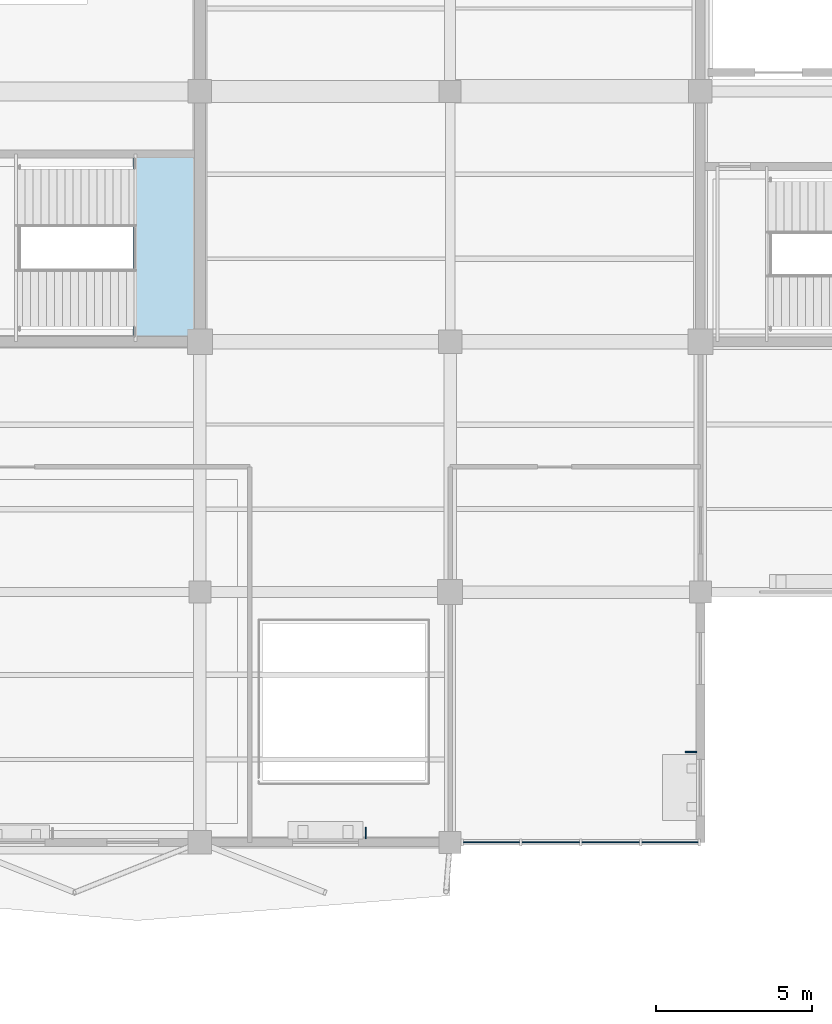
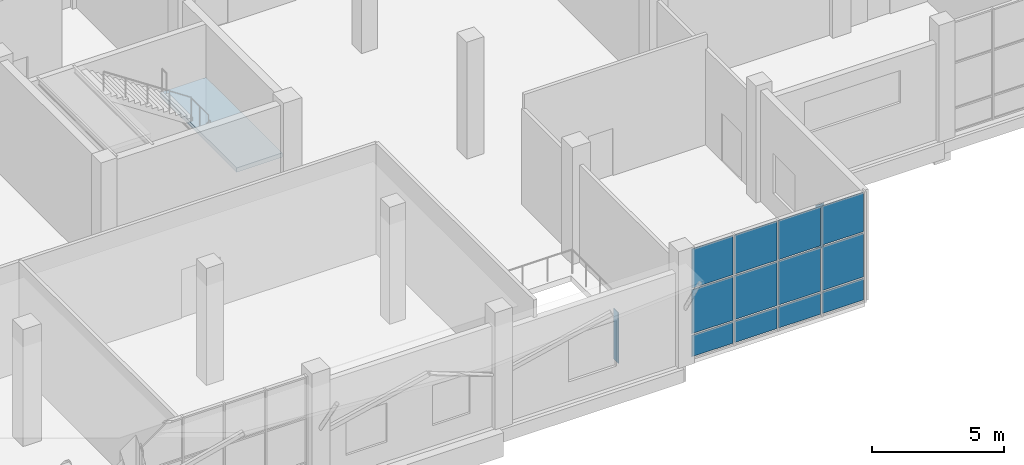
# One storey, part 80 of 122: 14 plates, 1 slab, 2 elements without a shape of their own.
"""IFC4 building model written with IfcOpenShell, lengths in metres."""

from ifc_helpers import new_model, si_unit, direction, frame, origin, origin_2d, place, context, subcontext, project, spatial, polyline, rectangle, outline, extrude, material, layer, layer_set, type_object, element, aggregate, save


model = new_model("IFC4")

# Units and contexts
model_context = context("Model", 3, precision=1e-05, world=origin(), true_north=direction((0.0, 1.0)))
body_context = subcontext(model_context, "Body", "Model", "MODEL_VIEW")
ifc_project = project(units=[si_unit("LENGTHUNIT", "METRE"), si_unit("AREAUNIT", "SQUARE_METRE"), si_unit("VOLUMEUNIT", "CUBIC_METRE"), si_unit("PLANEANGLEUNIT", "RADIAN"), si_unit("MASSUNIT", "GRAM", prefix="KILO")], contexts=[model_context])

# Site, building, storey
site_placement = place(None, origin())
site = spatial("IfcSite", under=ifc_project, at=site_placement, CompositionType="ELEMENT")
building_placement = place(site_placement, origin())
building = spatial("IfcBuilding", under=site, at=building_placement, Name="Tenunan Teduh Sports Hall", CompositionType="ELEMENT")
storey_placement = place(building_placement, frame((0.0, 0.0, 5.39990234375)))
storey = spatial("IfcBuildingStorey", under=building, at=storey_placement, Name="L01", CompositionType="ELEMENT", Elevation=5.39990234375)

# Curtain wall, plates
ifc_material_1 = material(Name="Anodised aluminium", Category="aluminium")
curtain_wall_type = type_object("IfcCurtainWallType", Name="CW-UNIT-1", PredefinedType="NOTDEFINED", material=ifc_material_1)
curtain_wall_placement = place(storey_placement, origin())
curtain_wall = element("IfcCurtainWall", 1, at=curtain_wall_placement, inside=storey, type_object=curtain_wall_type, Name="CW-CWM-220-L01-201", PredefinedType="NOTDEFINED")
ifc_material_2 = material(Name="Solar-control laminated glazing", Category="glass")
ifc_layer_1 = layer(ifc_material_2, 0.031982421875)
ifc_layer_set_1 = layer_set([ifc_layer_1], Name="Solar-control laminated glazing")
plate_type_1 = type_object("IfcPlateType", Name="CWP-GLZ-32", PredefinedType="CURTAIN_PANEL", material=ifc_layer_set_1)
plate_1_placement = place(storey_placement, frame((47.324951171875, 78.0, 1.1376953125), z_axis=(0.0, 0.0, 1.0), x_axis=(1.0, 0.0, 0.0)))
plate_1 = element("IfcPlate", 2, at=plate_1_placement, type_object=plate_type_1, Name="CW-01 panel 1.2", PredefinedType="CURTAIN_PANEL", context=body_context, shape_type="SweptSolid", body=[
    extrude(rectangle(XDim=1.800048828125, YDim=0.031982421875, at=origin_2d()), origin(), (0.0, 0.0, 1.0), 2.02490234375),
])
plate_2_placement = place(storey_placement, frame((47.324951171875, 78.0, 3.237548828125), z_axis=(0.0, 0.0, 1.0), x_axis=(1.0, 0.0, 0.0)))
plate_2 = element("IfcPlate", 3, at=plate_2_placement, type_object=plate_type_1, Name="CW-01 panel 1.3", PredefinedType="CURTAIN_PANEL", context=body_context, shape_type="SweptSolid", body=[
    extrude(rectangle(XDim=1.800048828125, YDim=0.031982421875, at=origin_2d()), origin(), (0.0, 0.0, 1.0), 1.8076171875),
])
plate_3_placement = place(storey_placement, frame((49.21875, 78.0, 1.1376953125), z_axis=(0.0, 0.0, 1.0), x_axis=(1.0, 0.0, 0.0)))
plate_3 = element("IfcPlate", 4, at=plate_3_placement, type_object=plate_type_1, Name="CW-01 panel 2.2", PredefinedType="CURTAIN_PANEL", context=body_context, shape_type="SweptSolid", body=[
    extrude(rectangle(XDim=1.83740234375, YDim=0.031982421875, at=origin_2d()), origin(), (0.0, 0.0, 1.0), 2.02490234375),
])
plate_4_placement = place(storey_placement, frame((49.21875, 78.0, 3.237548828125), z_axis=(0.0, 0.0, 1.0), x_axis=(1.0, 0.0, 0.0)))
plate_4 = element("IfcPlate", 5, at=plate_4_placement, type_object=plate_type_1, Name="CW-01 panel 2.3", PredefinedType="CURTAIN_PANEL", context=body_context, shape_type="SweptSolid", body=[
    extrude(rectangle(XDim=1.83740234375, YDim=0.031982421875, at=origin_2d()), origin(), (0.0, 0.0, 1.0), 1.8076171875),
])
plate_5_placement = place(storey_placement, frame((51.13134765625, 78.0, 1.1376953125), z_axis=(0.0, 0.0, 1.0), x_axis=(1.0, 0.0, 0.0)))
plate_5 = element("IfcPlate", 6, at=plate_5_placement, type_object=plate_type_1, Name="CW-01 panel 3.2", PredefinedType="CURTAIN_PANEL", context=body_context, shape_type="SweptSolid", body=[
    extrude(rectangle(XDim=1.83740234375, YDim=0.031982421875, at=origin_2d()), origin(), (0.0, 0.0, 1.0), 2.02490234375),
])
plate_6_placement = place(storey_placement, frame((51.13134765625, 78.0, 3.237548828125), z_axis=(0.0, 0.0, 1.0), x_axis=(1.0, 0.0, 0.0)))
plate_6 = element("IfcPlate", 7, at=plate_6_placement, type_object=plate_type_1, Name="CW-01 panel 3.3", PredefinedType="CURTAIN_PANEL", context=body_context, shape_type="SweptSolid", body=[
    extrude(rectangle(XDim=1.83740234375, YDim=0.031982421875, at=origin_2d()), origin(), (0.0, 0.0, 1.0), 1.8076171875),
])
plate_7_placement = place(storey_placement, frame((53.02490234375, 78.0, 1.1376953125), z_axis=(0.0, 0.0, 1.0), x_axis=(1.0, 0.0, 0.0)))
plate_7 = element("IfcPlate", 8, at=plate_7_placement, type_object=plate_type_1, Name="CW-01 panel 4.2", PredefinedType="CURTAIN_PANEL", context=body_context, shape_type="SweptSolid", body=[
    extrude(rectangle(XDim=1.800048828125, YDim=0.031982421875, at=origin_2d()), origin(), (0.0, 0.0, 1.0), 2.02490234375),
])
plate_8_placement = place(storey_placement, frame((53.02490234375, 78.0, 3.237548828125), z_axis=(0.0, 0.0, 1.0), x_axis=(1.0, 0.0, 0.0)))
plate_8 = element("IfcPlate", 9, at=plate_8_placement, type_object=plate_type_1, Name="CW-01 panel 4.3", PredefinedType="CURTAIN_PANEL", context=body_context, shape_type="SweptSolid", body=[
    extrude(rectangle(XDim=1.800048828125, YDim=0.031982421875, at=origin_2d()), origin(), (0.0, 0.0, 1.0), 1.8076171875),
])
ifc_material_3 = material(Name="Insulated aluminium spandrel panel", Category="aluminium")
ifc_layer_2 = layer(ifc_material_3, 0.044921875)
ifc_layer_set_2 = layer_set([ifc_layer_2], Name="Insulated aluminium spandrel panel")
plate_type_2 = type_object("IfcPlateType", Name="CWP-SPN-45", PredefinedType="CURTAIN_PANEL", material=ifc_layer_set_2)
plate_9_placement = place(storey_placement, frame((47.324951171875, 78.0, 0.0751953125), z_axis=(0.0, 0.0, 1.0), x_axis=(1.0, 0.0, 0.0)))
plate_9 = element("IfcPlate", 10, at=plate_9_placement, type_object=plate_type_2, Name="CW-01 panel 1.1", PredefinedType="CURTAIN_PANEL", context=body_context, shape_type="SweptSolid", body=[
    extrude(rectangle(XDim=1.800048828125, YDim=0.031982421875, at=origin_2d()), origin(), (0.0, 0.0, 1.0), 0.987548828125),
])
plate_10_placement = place(storey_placement, frame((49.21875, 78.0, 0.0751953125), z_axis=(0.0, 0.0, 1.0), x_axis=(1.0, 0.0, 0.0)))
plate_10 = element("IfcPlate", 11, at=plate_10_placement, type_object=plate_type_2, Name="CW-01 panel 2.1", PredefinedType="CURTAIN_PANEL", context=body_context, shape_type="SweptSolid", body=[
    extrude(rectangle(XDim=1.83740234375, YDim=0.031982421875, at=origin_2d()), origin(), (0.0, 0.0, 1.0), 0.987548828125),
])
plate_11_placement = place(storey_placement, frame((51.13134765625, 78.0, 0.0751953125), z_axis=(0.0, 0.0, 1.0), x_axis=(1.0, 0.0, 0.0)))
plate_11 = element("IfcPlate", 12, at=plate_11_placement, type_object=plate_type_2, Name="CW-01 panel 3.1", PredefinedType="CURTAIN_PANEL", context=body_context, shape_type="SweptSolid", body=[
    extrude(rectangle(XDim=1.83740234375, YDim=0.031982421875, at=origin_2d()), origin(), (0.0, 0.0, 1.0), 0.987548828125),
])
plate_12_placement = place(storey_placement, frame((53.02490234375, 78.0, 0.0751953125), z_axis=(0.0, 0.0, 1.0), x_axis=(1.0, 0.0, 0.0)))
plate_12 = element("IfcPlate", 13, at=plate_12_placement, type_object=plate_type_2, Name="CW-01 panel 4.1", PredefinedType="CURTAIN_PANEL", context=body_context, shape_type="SweptSolid", body=[
    extrude(rectangle(XDim=1.800048828125, YDim=0.031982421875, at=origin_2d()), origin(), (0.0, 0.0, 1.0), 0.987548828125),
])
aggregate(curtain_wall, [plate_9, plate_1, plate_2, plate_10, plate_3, plate_4, plate_11, plate_5, plate_6, plate_12, plate_7, plate_8])

# Plates
ifc_material_4 = material(Name="Anodised aluminium", Category="aluminium")
ifc_layer_3 = layer(ifc_material_4, 1.89990234375)
ifc_layer_set_3 = layer_set([ifc_layer_3], Name="Anodised aluminium")
plate_type_3 = type_object("IfcPlateType", Name="PLT-FIN-1", PredefinedType="SHEET", material=ifc_layer_set_3)
plate_13_placement = place(storey_placement, frame((43.304931640625, 78.300048828125, 0.7802734375), z_axis=(0.0, 0.0, 1.0), x_axis=(1.0, 0.0, 0.0)))
element("IfcPlate", 14, at=plate_13_placement, inside=storey, type_object=plate_type_3, Name="PLT-FIN-L01-025", PredefinedType="SHEET", context=body_context, shape_type="SweptSolid", body=[
    extrude(rectangle(XDim=0.0400390625, YDim=0.360107421875, at=origin_2d()), origin(), (0.0, 0.0, 1.0), 2.340087890625),
])
plate_14_placement = place(storey_placement, frame((53.695068359375, 80.889892578125, 0.780029296875), z_axis=(0.0, 0.0, 1.0), x_axis=(0.0, 1.0, 0.0)))
element("IfcPlate", 15, at=plate_14_placement, inside=storey, type_object=plate_type_3, Name="PLT-FIN-L01-026", PredefinedType="SHEET", context=body_context, shape_type="SweptSolid", body=[
    extrude(rectangle(XDim=0.0400390625, YDim=0.360107421875, at=origin_2d()), origin(), (0.0, 0.0, 1.0), 2.0400390625),
])

# Stair, slab
ifc_material_5 = material(Name="Precast concrete C40/50", Category="concrete")
stair_type = type_object("IfcStairType", Name="STR-CORE-54", PredefinedType="HALF_TURN_STAIR", material=ifc_material_5)
stair_placement = place(storey_placement, origin())
stair = element("IfcStair", 16, at=stair_placement, inside=storey, type_object=stair_type, Name="STR-W2-L01", PredefinedType="HALF_TURN_STAIR")
ifc_material_6 = material(Name="Precast concrete C40/50", Category="concrete")
ifc_layer_4 = layer(ifc_material_6, 0.199951171875)
ifc_layer_set_4 = layer_set([ifc_layer_4], Name="Precast concrete C40/50")
slab_type = type_object("IfcSlabType", Name="SLB-LND-200", PredefinedType="LANDING", material=ifc_layer_set_4)
slab_placement = place(storey_placement, frame((0.0, 0.0, 2.5)))
slab = element("IfcSlab", 17, at=slab_placement, type_object=slab_type, Name="ST-08 landing 1", PredefinedType="LANDING", context=body_context, shape_type="SweptSolid", body=[
    extrude(outline(polyline([(35.864990234375, 94.139892578125), (37.860107421875, 94.139892578125), (37.860107421875, 99.89990234375), (35.864990234375, 99.89990234375), (35.864990234375, 94.139892578125)])), origin(), (0.0, 0.0, 1.0), 0.2001953125),
])
aggregate(stair, [slab])

save(model, "model.ifc")
